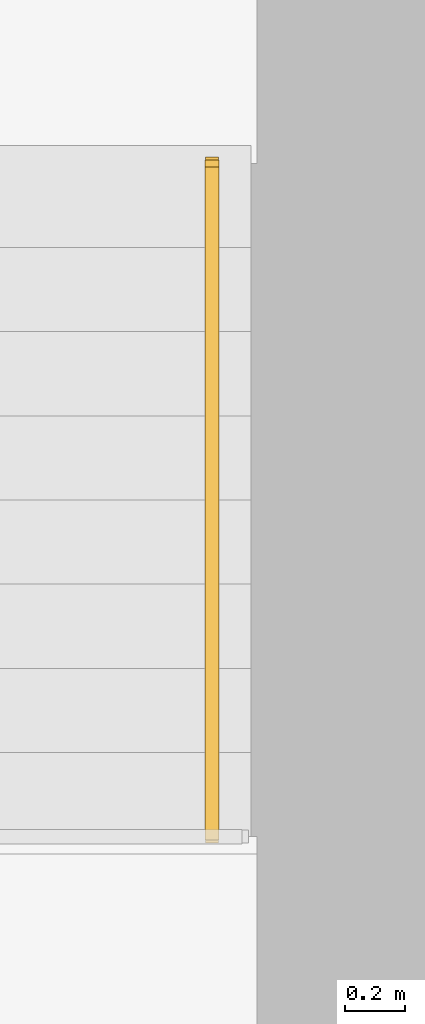
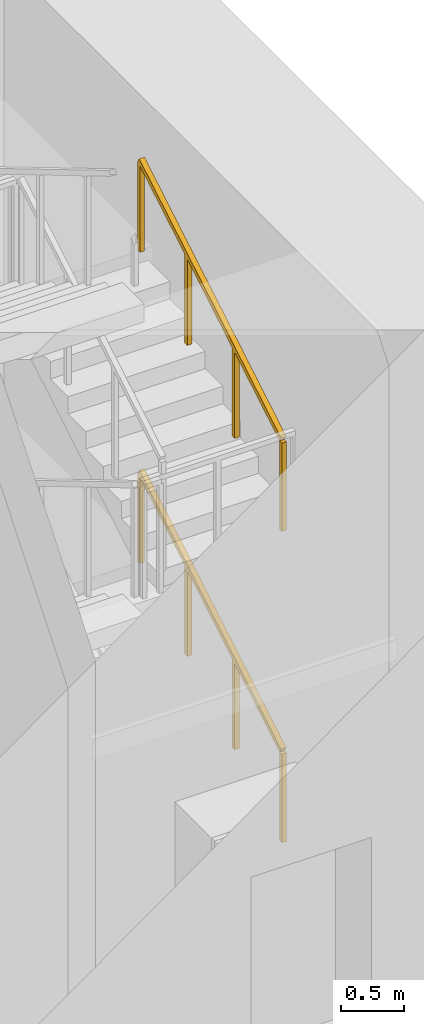
# One storey, part 19 of 19: 2 railings.
"""IFC4 building model written with IfcOpenShell, lengths in metres."""

from ifc_helpers import new_model, si_unit, direction, frame, origin, origin_2d, place, context, subcontext, project, spatial, rectangle, extrude, material, type_object, element, save


model = new_model("IFC4")

# Units and contexts
model_context = context("Model", 3, precision=1e-05, world=origin(), true_north=direction((0.0, 1.0)))
body_context = subcontext(model_context, "Body", "Model", "MODEL_VIEW")
ifc_project = project(units=[si_unit("LENGTHUNIT", "METRE"), si_unit("AREAUNIT", "SQUARE_METRE"), si_unit("VOLUMEUNIT", "CUBIC_METRE"), si_unit("PLANEANGLEUNIT", "RADIAN"), si_unit("MASSUNIT", "GRAM", prefix="KILO")], contexts=[model_context])

# Site, building, storey
site_placement = place(None, origin())
site = spatial("IfcSite", under=ifc_project, at=site_placement, CompositionType="ELEMENT")
building_placement = place(site_placement, origin())
building = spatial("IfcBuilding", under=site, at=building_placement, Name="Sennacour Bend Tower", CompositionType="ELEMENT")
storey_placement = place(building_placement, frame((0.0, 0.0, 77.0)))
storey = spatial("IfcBuildingStorey", under=building, at=storey_placement, Name="L17", CompositionType="ELEMENT", Elevation=77.0)

# Railings
ifc_material = material(Name="Stainless steel", Category="steel")
railing_type = type_object("IfcRailingType", Name="RL-HANDRAIL-900", PredefinedType="HANDRAIL", material=ifc_material)
for number, where, name in (
    (1, (21.199951171875, 38.699951171875, 0.166748046875), "L17 SB2 stair handrail 1"),
    (2, (21.199951171875, 38.699951171875, 3.166748046875), "L17 SB2 stair handrail 3"),
):
    element("IfcRailing", number, at=place(storey_placement, frame(where)), inside=storey, type_object=railing_type, Name=name, PredefinedType="HANDRAIL", context=body_context, shape_type="SweptSolid", body=[
        extrude(rectangle(XDim=0.048095703125, YDim=0.048095703125, at=origin_2d()), frame((0.0, 0.0, 0.8759765625), z_axis=(0.0, 0.859305625298, 0.511462454469), x_axis=(-1.0, 0.0, 0.0)), (0.0, 0.0, 1.0), 2.606689453125),
        extrude(rectangle(XDim=0.0419921875, YDim=0.0419921875, at=origin_2d()), origin(), (0.0, 0.0, 1.0), 0.851806640625),
        extrude(rectangle(XDim=0.0419921875, YDim=0.0419921875, at=origin_2d()), frame((0.0, 0.74658203125, 0.4443359375)), (0.0, 0.0, 1.0), 0.851806640625),
        extrude(rectangle(XDim=0.0419921875, YDim=0.0419921875, at=origin_2d()), frame((0.0, 1.493408203125, 0.888916015625)), (0.0, 0.0, 1.0), 0.851806640625),
        extrude(rectangle(XDim=0.0419921875, YDim=0.0419921875, at=origin_2d()), frame((0.0, 2.239990234375, 1.333251953125)), (0.0, 0.0, 1.0), 0.851806640625),
    ])

save(model, "model.ifc")
